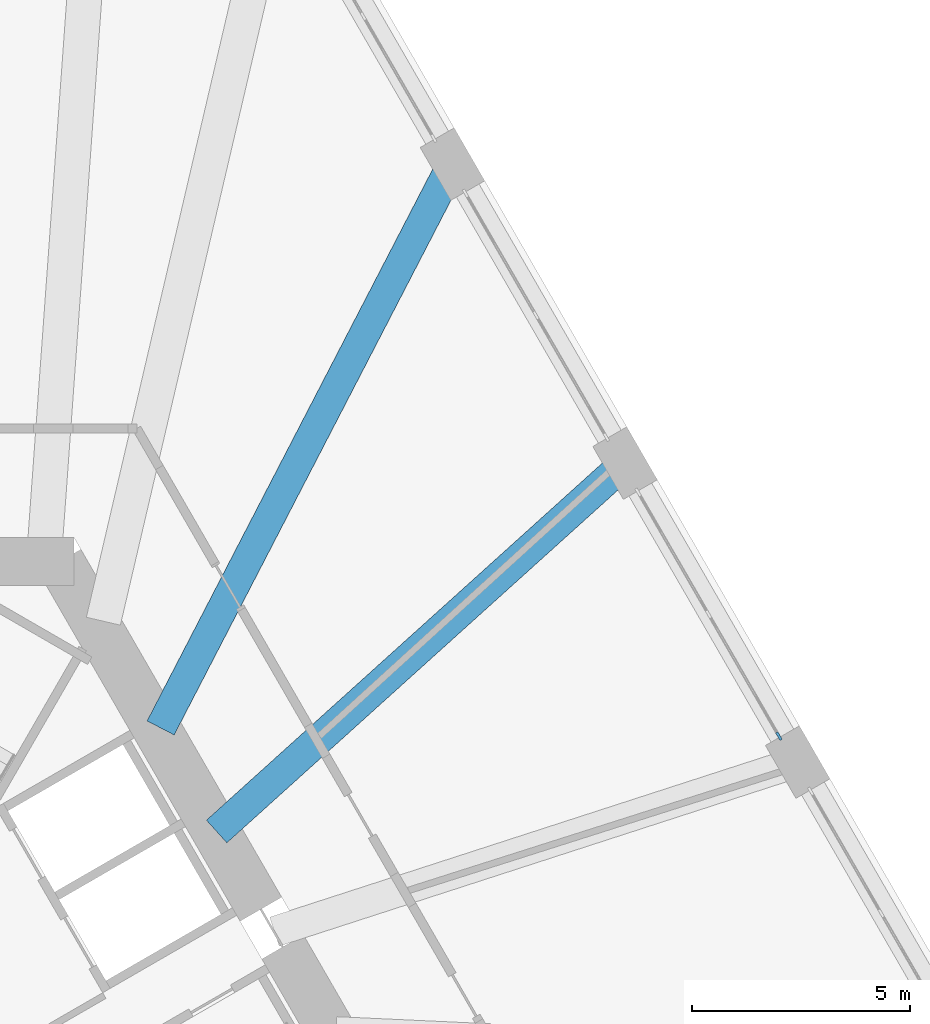
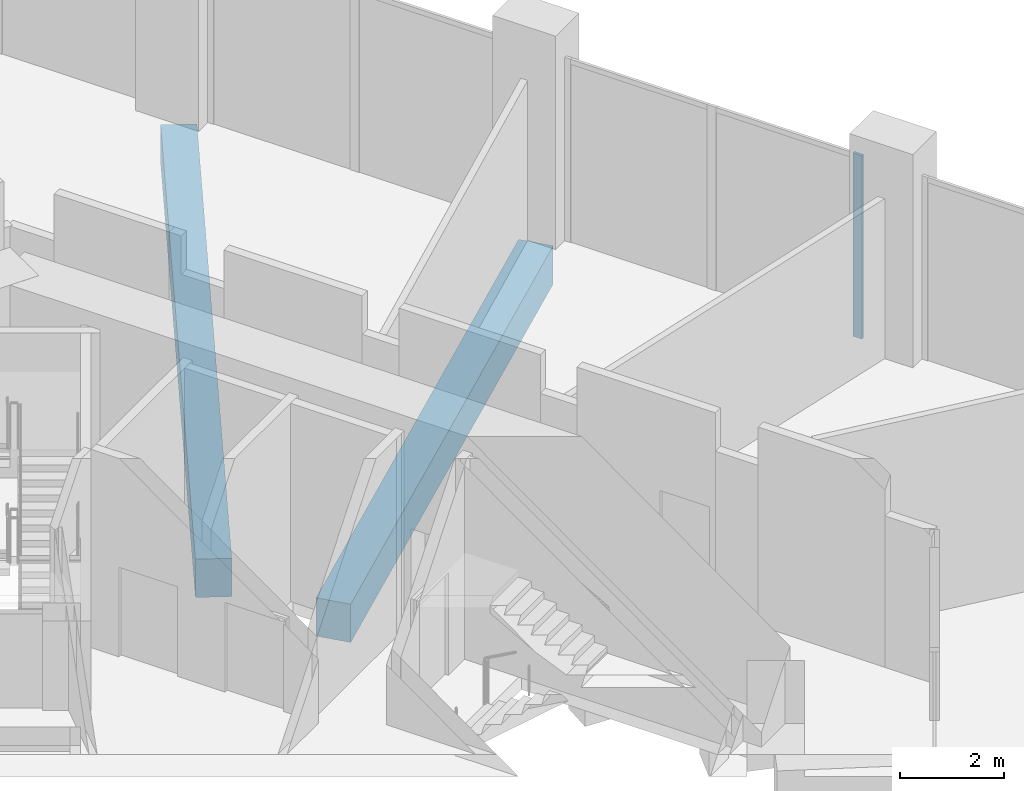
# One storey, part 8 of 20: 2 beams, 1 member, 1 element without a shape of its own.
"""IFC4 building model written with IfcOpenShell, lengths in metres."""

from ifc_helpers import new_model, si_unit, direction, frame, origin, origin_2d, place, context, subcontext, project, spatial, rectangle, extrude, material, layer, layer_set, material_profile, profile_set, type_object, element, aggregate, save


model = new_model("IFC4")

# Units and contexts
model_context = context("Model", 3, precision=1e-05, world=origin(), true_north=direction((0.0, 1.0)))
body_context = subcontext(model_context, "Body", "Model", "MODEL_VIEW")
ifc_project = project(units=[si_unit("LENGTHUNIT", "METRE"), si_unit("AREAUNIT", "SQUARE_METRE"), si_unit("VOLUMEUNIT", "CUBIC_METRE"), si_unit("PLANEANGLEUNIT", "RADIAN"), si_unit("MASSUNIT", "GRAM", prefix="KILO")], contexts=[model_context])

# Site, building, storey
site_placement = place(None, origin())
site = spatial("IfcSite", under=ifc_project, at=site_placement, CompositionType="ELEMENT")
building_placement = place(site_placement, origin())
building = spatial("IfcBuilding", under=site, at=building_placement, Name="Tramontana Tower", CompositionType="ELEMENT")
storey_placement = place(building_placement, frame((0.0, 0.0, 10.0)))
storey = spatial("IfcBuildingStorey", under=building, at=storey_placement, Name="L01", CompositionType="ELEMENT", Elevation=10.0)

# Curtain wall, member
ifc_material_1 = material(Name="Aluminum extrusion", Category="aluminium")
ifc_layer = layer(ifc_material_1, 0.14990234375)
ifc_layer_set = layer_set([ifc_layer], Name="CW2 Podium amenity curtain wall")
curtain_wall_type = type_object("IfcCurtainWallType", Name="CW2 Podium amenity curtain wall", PredefinedType="NOTDEFINED", material=ifc_layer_set)
curtain_wall_placement = place(storey_placement, origin())
curtain_wall = element("IfcCurtainWall", 1, at=curtain_wall_placement, inside=storey, type_object=curtain_wall_type, Name="CW2 curtain wall L01 face 2 bay 4", PredefinedType="NOTDEFINED")
ifc_material_2 = material(Name="Aluminum extrusion", Category="aluminium")
ifc_material_profile_1 = material_profile(ifc_material_2, rectangle(XDim=0.06005859375, YDim=0.199951171875, at=origin_2d()), Name="CW2-M Mullion 60 x 200")
ifc_profile_set_1 = profile_set([ifc_material_profile_1], Name="Aluminum extrusion")
member_type = type_object("IfcMemberType", Name="CW2-M Mullion 60 x 200", PredefinedType="MULLION", material=ifc_profile_set_1)
member_placement = place(storey_placement, frame((17.6142578125, 6.441162109375, 0.0), z_axis=(0.0, 0.0, 1.0), x_axis=(-0.866025403784, -0.5, 0.0)))
member = element("IfcMember", 2, at=member_placement, type_object=member_type, Name="CW2 curtain wall L01 face 2 bay 4 mullion 1", PredefinedType="MULLION", context=body_context, shape_type="SweptSolid", body=[
    extrude(rectangle(XDim=0.06005859375, YDim=0.199951171875, at=origin_2d()), origin(), (0.0, 0.0, 1.0), 4.300048828125),
])
aggregate(curtain_wall, [member])

# Beams
ifc_material_3 = material(Name="Concrete 40 MPa", Category="concrete")
ifc_material_profile_2 = material_profile(ifc_material_3, rectangle(XDim=0.699951171875, YDim=0.89990234375, at=origin_2d()), Name="RC GIRDER 700X900 40 MPa")
ifc_profile_set_2 = profile_set([ifc_material_profile_2], Name="Concrete 40 MPa")
beam_type = type_object("IfcBeamType", Name="RC GIRDER 700X900 40 MPa", PredefinedType="BEAM", material=ifc_profile_set_2)
beam_1_placement = place(storey_placement, frame((14.085205078125, 12.70361328125, -0.800048828125), z_axis=(-0.742588406407, -0.669748056116, 0.0), x_axis=(0.669748056116, -0.742588406407, 0.0)))
element("IfcBeam", 3, at=beam_1_placement, inside=storey, type_object=beam_type, Name="Radial girder C0F16 L01", PredefinedType="BEAM", context=body_context, shape_type="SweptSolid", body=[
    extrude(rectangle(XDim=0.699951171875, YDim=0.89990234375, at=origin_2d()), origin(), (0.0, 0.0, 1.0), 12.615966796875),
])
beam_2_placement = place(storey_placement, frame((10.126220703125, 19.560791015625, -0.800048828125), z_axis=(-0.459730770714, -0.88805834181, 0.0), x_axis=(0.88805834181, -0.459730770714, 0.0)))
element("IfcBeam", 4, at=beam_2_placement, inside=storey, type_object=beam_type, Name="Radial girder C0F17 L01", PredefinedType="BEAM", context=body_context, shape_type="SweptSolid", body=[
    extrude(rectangle(XDim=0.699951171875, YDim=0.89990234375, at=origin_2d()), origin(), (0.0, 0.0, 1.0), 14.5615234375),
])

save(model, "model.ifc")
